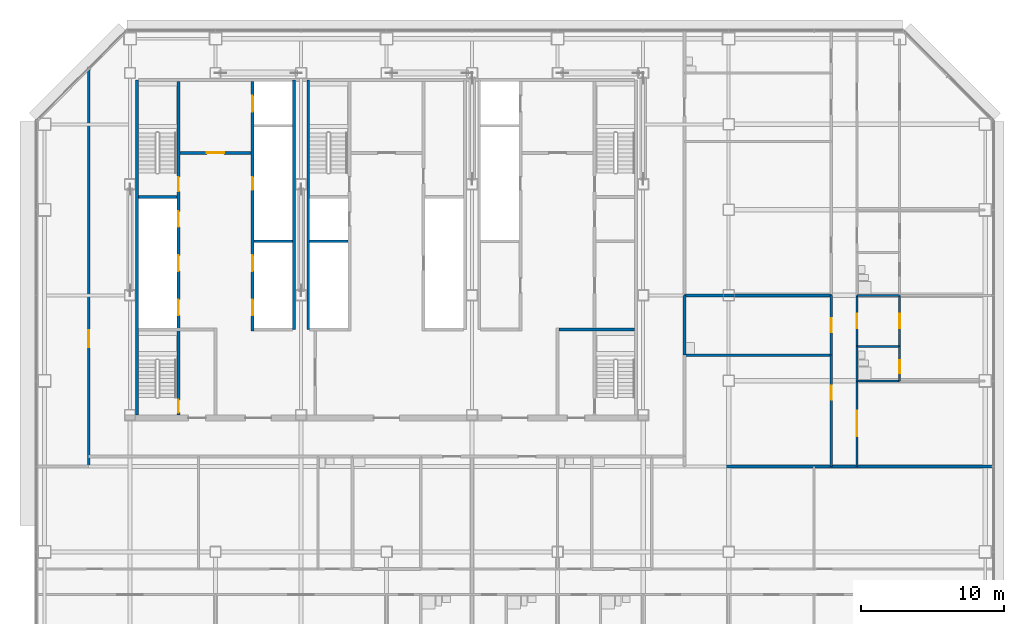
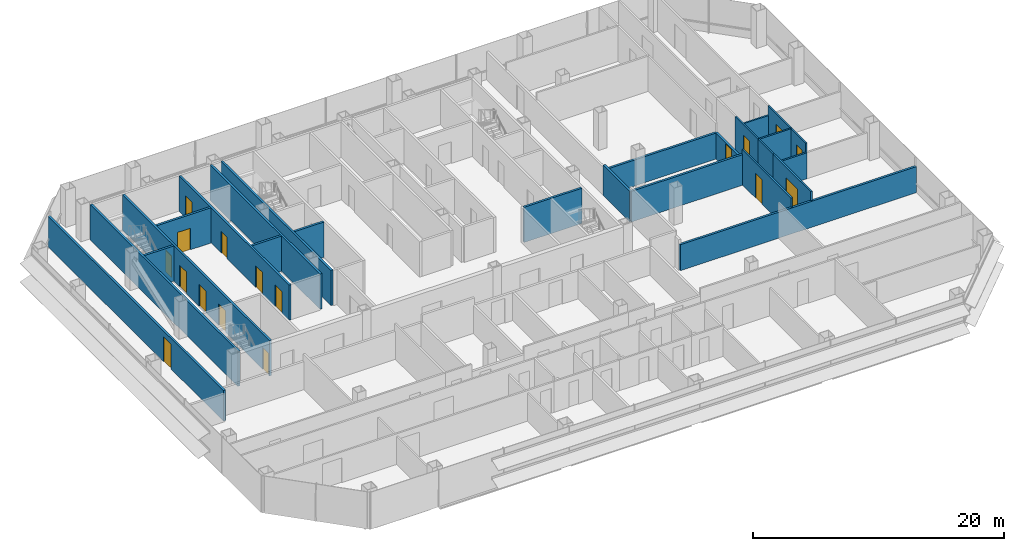
# One storey, part 22 of 26: 25 walls, 17 doors, 17 openings.
"""IFC4 building model written with IfcOpenShell, lengths in metres."""

from ifc_helpers import new_model, si_unit, direction, frame, frame_2d, origin, place, context, subcontext, project, spatial, rectangle, extrude, material, layer, layer_set, type_object, element, fill, save


model = new_model("IFC4")

# Units and contexts
model_context = context("Model", 3, precision=1e-05, world=origin(), true_north=direction((0.0, 1.0)))
body_context = subcontext(model_context, "Body", "Model", "MODEL_VIEW")
ifc_project = project(units=[si_unit("LENGTHUNIT", "METRE"), si_unit("AREAUNIT", "SQUARE_METRE"), si_unit("VOLUMEUNIT", "CUBIC_METRE"), si_unit("PLANEANGLEUNIT", "RADIAN"), si_unit("MASSUNIT", "GRAM", prefix="KILO")], contexts=[model_context])

# Site, building, storey
site_placement = place(None, origin())
site = spatial("IfcSite", under=ifc_project, at=site_placement, CompositionType="ELEMENT")
building_placement = place(site_placement, origin())
building = spatial("IfcBuilding", under=site, at=building_placement, Name="Sorahane Residences", CompositionType="ELEMENT")
storey_placement = place(building_placement, frame((0.0, 0.0, 64.199951171875)))
storey = spatial("IfcBuildingStorey", under=building, at=storey_placement, Name="L12", CompositionType="ELEMENT", Elevation=64.199951171875)

# Walls
ifc_material_1 = material(Name="Concrete C30", Category="concrete")
ifc_layer_1 = layer(ifc_material_1, 0.199951171875)
ifc_layer_set_1 = layer_set([ifc_layer_1], Name="Core face wall 200 EI 180")
wall_type_1 = type_object("IfcWallType", Name="Core face wall 200 EI 180", PredefinedType="SOLIDWALL", material=ifc_layer_set_1)
wall_1_placement = place(storey_placement, frame((6.5, 21.60009765625, 0.0), z_axis=(0.0, 0.0, 1.0), x_axis=(0.0, 1.0, 0.0)))
element("IfcWall", 1, at=wall_1_placement, inside=storey, type_object=wall_type_1, Name="L12 core face wall", PredefinedType="SOLIDWALL", context=body_context, shape_type="SweptSolid", body=[
    extrude(rectangle(XDim=23.5, YDim=0.199951171875, at=frame_2d((11.75, 0.0))), origin(), (0.0, 0.0, 1.0), 3.420166015625),
])
for number, where, z_axis, x_axis, name in (
    (2, (17.5, 27.60009765625, 0.0), (0.0, 0.0, 1.0), (0.0, 1.0, 0.0), "L12 core face wall"),
    (3, (18.5, 27.60009765625, 0.0), (0.0, 0.0, 1.0), (0.0, 1.0, 0.0), "L12 core face wall"),
):
    element("IfcWall", number, at=place(storey_placement, frame(where, z_axis=z_axis, x_axis=x_axis)), inside=storey, type_object=wall_type_1, Name=name, PredefinedType="SOLIDWALL", context=body_context, shape_type="SweptSolid", body=[
        extrude(rectangle(XDim=17.5, YDim=0.199951171875, at=frame_2d((8.75, 0.0))), origin(), (0.0, 0.0, 1.0), 3.420166015625),
    ])

# Wall, opening, door
ifc_material_2 = material(Name="Concrete blockwork C20 wall", Category="masonry")
ifc_layer_2 = layer(ifc_material_2, 0.199951171875)
ifc_layer_set_2 = layer_set([ifc_layer_2], Name="Corridor wall 200 EI 120")
wall_type_2 = type_object("IfcWallType", Name="Corridor wall 200 EI 120", PredefinedType="SOLIDWALL", material=ifc_layer_set_2)
wall_2_placement = place(storey_placement, frame((3.10009765625, 18.0, 0.0), z_axis=(0.0, 0.0, 1.0), x_axis=(0.0, 1.0, 0.0)))
wall_2 = element("IfcWall", 4, at=wall_2_placement, inside=storey, type_object=wall_type_2, Name="L12 corridor wall", PredefinedType="SOLIDWALL", context=body_context, shape_type="SweptSolid", body=[
    extrude(rectangle(XDim=27.948974609375, YDim=0.199951171875, at=frame_2d((13.974609375, 0.0))), origin(), (0.0, 0.0, 1.0), 2.969970703125),
])
opening_1_placement = place(wall_2_placement, frame((8.360107421875, 0.0, 0.0)))
opening_1 = element("IfcOpeningElement", 5, at=opening_1_placement, cuts=wall_2, Name="Opening L12-45", PredefinedType="OPENING", context=body_context, shape_type="SweptSolid", body=[
    extrude(rectangle(XDim=1.199951171875, YDim=2.39990234375, at=frame_2d((0.60009765625, 1.199951171875))), frame((0.0, 0.10986328125, 0.0), z_axis=(0.0, -1.0, 0.0), x_axis=(1.0, 0.0, 0.0)), (0.0, 0.0, 1.0), 0.219970703125),
])
ifc_material_3 = material(Name="Steel", Category="steel")
door_type_1 = type_object("IfcDoorType", Name="Lobby door 1200x2400 FD60", OperationType="NOTDEFINED", PredefinedType="DOOR", material=ifc_material_3)
door_1_placement = place(opening_1_placement, origin())
door_1 = element("IfcDoor", 6, at=door_1_placement, inside=storey, type_object=door_type_1, Name="Lobby door L12-45", OperationType="SINGLE_SWING_RIGHT", OverallHeight=2.39990234375, OverallWidth=1.199951171875, PredefinedType="DOOR", context=body_context, shape_type="SweptSolid", body=[
    extrude(rectangle(XDim=1.199951171875, YDim=2.39990234375, at=frame_2d((0.60009765625, 1.199951171875))), frame((0.0, 0.02490234375, 0.0), z_axis=(0.0, -1.0, 0.0), x_axis=(1.0, 0.0, 0.0)), (0.0, 0.0, 1.0), 0.050048828125),
])
fill(opening_1, door_1)

ifc_material_4 = material(Name="Concrete C30", Category="concrete")
ifc_layer_3 = layer(ifc_material_4, 0.199951171875)
ifc_layer_set_3 = layer_set([ifc_layer_3], Name="Front room wall 200 EI 120")
wall_type_3 = type_object("IfcWallType", Name="Front room wall 200 EI 120", PredefinedType="PARTITIONING", material=ifc_layer_set_3)
wall_3_placement = place(storey_placement, frame((9.5, 40.0, 0.0), z_axis=(0.0, 0.0, 1.0), x_axis=(1.0, 0.0, 0.0)))
wall_3 = element("IfcWall", 7, at=wall_3_placement, inside=storey, type_object=wall_type_3, Name="L12 front room wall", PredefinedType="PARTITIONING", context=body_context, shape_type="SweptSolid", body=[
    extrude(rectangle(XDim=5.0, YDim=0.199951171875, at=frame_2d((2.5, 0.0))), origin(), (0.0, 0.0, 1.0), 3.420166015625),
])
opening_2_placement = place(wall_3_placement, frame((1.89990234375, 0.0, 0.0)))
opening_2 = element("IfcOpeningElement", 8, at=opening_2_placement, cuts=wall_3, Name="Opening L12-C07", PredefinedType="OPENING", context=body_context, shape_type="SweptSolid", body=[
    extrude(rectangle(XDim=1.199951171875, YDim=2.10009765625, at=frame_2d((0.60009765625, 1.050048828125))), frame((0.0, 0.10986328125, 0.0), z_axis=(0.0, -1.0, 0.0), x_axis=(1.0, 0.0, 0.0)), (0.0, 0.0, 1.0), 0.219970703125),
])
ifc_material_5 = material(Name="Steel", Category="steel")
door_type_2 = type_object("IfcDoorType", Name="Front room door 1200x2100 FD120", OperationType="NOTDEFINED", PredefinedType="DOOR", material=ifc_material_5)
door_2_placement = place(opening_2_placement, frame((1.199951171875, 0.0, 0.0), z_axis=(0.0, 0.0, 1.0), x_axis=(-1.0, 0.0, 0.0)))
door_2 = element("IfcDoor", 9, at=door_2_placement, inside=storey, type_object=door_type_2, Name="Front room door Firefighting lobby FF1 front room L12", OperationType="DOUBLE_DOOR_SINGLE_SWING", OverallHeight=2.10009765625, OverallWidth=1.199951171875, PredefinedType="DOOR", context=body_context, shape_type="SweptSolid", body=[
    extrude(rectangle(XDim=1.199951171875, YDim=2.10009765625, at=frame_2d((0.60009765625, 1.050048828125))), frame((0.0, 0.02490234375, 0.0), z_axis=(0.0, -1.0, 0.0), x_axis=(1.0, 0.0, 0.0)), (0.0, 0.0, 1.0), 0.050048828125),
])
fill(opening_2, door_2)

# Wall
ifc_material_6 = material(Name="Concrete blockwork C20 wall", Category="masonry")
ifc_layer_4 = layer(ifc_material_6, 0.199951171875)
ifc_layer_set_4 = layer_set([ifc_layer_4], Name="Kitchen wall 200 EI 180")
wall_type_4 = type_object("IfcWallType", Name="Kitchen wall 200 EI 180", PredefinedType="SOLIDWALL", material=ifc_layer_set_4)
wall_4_placement = place(storey_placement, frame((44.89990234375, 25.800048828125, 0.0), z_axis=(0.0, 0.0, 1.0), x_axis=(0.0, 1.0, 0.0)))
element("IfcWall", 10, at=wall_4_placement, inside=storey, type_object=wall_type_4, Name="L12 kitchen wall", PredefinedType="SOLIDWALL", context=body_context, shape_type="SweptSolid", body=[
    extrude(rectangle(XDim=4.199951171875, YDim=0.199951171875, at=frame_2d((2.10009765625, 0.0))), origin(), (0.0, 0.0, 1.0), 2.969970703125),
])

# Wall, opening, door
wall_5_placement = place(storey_placement, frame((55.199951171875, 25.800048828125, 0.0), z_axis=(0.0, 0.0, 1.0), x_axis=(0.0, 1.0, 0.0)))
wall_5 = element("IfcWall", 11, at=wall_5_placement, inside=storey, type_object=wall_type_4, Name="L12 kitchen wall", PredefinedType="SOLIDWALL", context=body_context, shape_type="SweptSolid", body=[
    extrude(rectangle(XDim=4.199951171875, YDim=0.199951171875, at=frame_2d((2.10009765625, 0.0))), origin(), (0.0, 0.0, 1.0), 2.52001953125),
])
opening_3_placement = place(wall_5_placement, frame((1.60009765625, 0.0, 0.0)))
opening_3 = element("IfcOpeningElement", 12, at=opening_3_placement, cuts=wall_5, Name="Opening L12-30", PredefinedType="OPENING", context=body_context, shape_type="SweptSolid", body=[
    extrude(rectangle(XDim=1.0, YDim=2.39990234375, at=frame_2d((0.5, 1.199951171875))), frame((0.0, 0.10986328125, 0.0), z_axis=(0.0, -1.0, 0.0), x_axis=(1.0, 0.0, 0.0)), (0.0, 0.0, 1.0), 0.219970703125),
])
ifc_material_7 = material(Name="Steel", Category="steel")
door_type_3 = type_object("IfcDoorType", Name="Kitchen door 1000x2400 FD120", OperationType="NOTDEFINED", PredefinedType="DOOR", material=ifc_material_7)
door_3_placement = place(opening_3_placement, origin())
door_3 = element("IfcDoor", 13, at=door_3_placement, inside=storey, type_object=door_type_3, Name="Kitchen door L12-30", OperationType="SINGLE_SWING_LEFT", OverallHeight=2.39990234375, OverallWidth=1.0, PredefinedType="DOOR", context=body_context, shape_type="SweptSolid", body=[
    extrude(rectangle(XDim=1.0, YDim=2.39990234375, at=frame_2d((0.5, 1.199951171875))), frame((0.0, 0.02490234375, 0.0), z_axis=(0.0, -1.0, 0.0), x_axis=(1.0, 0.0, 0.0)), (0.0, 0.0, 1.0), 0.050048828125),
])
fill(opening_3, door_3)

# Walls
wall_6_placement = place(storey_placement, frame((44.89990234375, 25.800048828125, 0.0), z_axis=(0.0, 0.0, 1.0), x_axis=(1.0, 0.0, 0.0)))
element("IfcWall", 14, at=wall_6_placement, inside=storey, type_object=wall_type_4, Name="L12 kitchen wall", PredefinedType="SOLIDWALL", context=body_context, shape_type="SweptSolid", body=[
    extrude(rectangle(XDim=10.300048828125, YDim=0.199951171875, at=frame_2d((5.14990234375, 0.0))), origin(), (0.0, 0.0, 1.0), 2.969970703125),
])
wall_7_placement = place(storey_placement, frame((44.89990234375, 30.0, 0.0), z_axis=(0.0, 0.0, 1.0), x_axis=(1.0, 0.0, 0.0)))
element("IfcWall", 15, at=wall_7_placement, inside=storey, type_object=wall_type_4, Name="L12 kitchen wall", PredefinedType="SOLIDWALL", context=body_context, shape_type="SweptSolid", body=[
    extrude(rectangle(XDim=10.300048828125, YDim=0.199951171875, at=frame_2d((5.14990234375, 0.0))), origin(), (0.0, 0.0, 1.0), 2.52001953125),
])

# Wall, openings, doors
ifc_material_8 = material(Name="Concrete C30", Category="concrete")
ifc_layer_5 = layer(ifc_material_8, 0.199951171875)
ifc_layer_set_5 = layer_set([ifc_layer_5], Name="Lift shaft wall 200 EI 120")
wall_type_5 = type_object("IfcWallType", Name="Lift shaft wall 200 EI 120", PredefinedType="SOLIDWALL", material=ifc_layer_set_5)
wall_8_placement = place(storey_placement, frame((14.60009765625, 27.5, 0.0), z_axis=(0.0, 0.0, 1.0), x_axis=(0.0, 1.0, 0.0)))
wall_8 = element("IfcWall", 16, at=wall_8_placement, inside=storey, type_object=wall_type_5, Name="L12 lift shaft wall", PredefinedType="SOLIDWALL", context=body_context, shape_type="SweptSolid", body=[
    extrude(rectangle(XDim=17.5, YDim=0.199951171875, at=frame_2d((8.75, 0.0))), origin(), (0.0, 0.0, 1.0), 3.420166015625),
])
opening_4_placement = place(wall_8_placement, frame((1.10009765625, 0.0, 0.0)))
opening_4 = element("IfcOpeningElement", 17, at=opening_4_placement, cuts=wall_8, Name="Opening L12-C11", PredefinedType="OPENING", context=body_context, shape_type="SweptSolid", body=[
    extrude(rectangle(XDim=1.10009765625, YDim=2.10009765625, at=frame_2d((0.550048828125, 1.050048828125))), frame((0.0, 0.10986328125, 0.0), z_axis=(0.0, -1.0, 0.0), x_axis=(1.0, 0.0, 0.0)), (0.0, 0.0, 1.0), 0.219970703125),
])
opening_5_placement = place(wall_8_placement, frame((4.199951171875, 0.0, 0.0)))
opening_5 = element("IfcOpeningElement", 18, at=opening_5_placement, cuts=wall_8, Name="Opening L12-C12", PredefinedType="OPENING", context=body_context, shape_type="SweptSolid", body=[
    extrude(rectangle(XDim=1.10009765625, YDim=2.10009765625, at=frame_2d((0.550048828125, 1.050048828125))), frame((0.0, 0.10986328125, 0.0), z_axis=(0.0, -1.0, 0.0), x_axis=(1.0, 0.0, 0.0)), (0.0, 0.0, 1.0), 0.219970703125),
])
opening_6_placement = place(wall_8_placement, frame((15.39990234375, 0.0, 0.0)))
opening_6 = element("IfcOpeningElement", 19, at=opening_6_placement, cuts=wall_8, Name="Opening L12-C13", PredefinedType="OPENING", context=body_context, shape_type="SweptSolid", body=[
    extrude(rectangle(XDim=1.10009765625, YDim=2.10009765625, at=frame_2d((0.550048828125, 1.050048828125))), frame((0.0, 0.10986328125, 0.0), z_axis=(0.0, -1.0, 0.0), x_axis=(1.0, 0.0, 0.0)), (0.0, 0.0, 1.0), 0.219970703125),
])
opening_7_placement = place(wall_8_placement, frame((9.89990234375, 0.0, 0.0)))
opening_7 = element("IfcOpeningElement", 20, at=opening_7_placement, cuts=wall_8, Name="Opening L12-C25", PredefinedType="OPENING", context=body_context, shape_type="SweptSolid", body=[
    extrude(rectangle(XDim=0.89990234375, YDim=2.10009765625, at=frame_2d((0.449951171875, 1.050048828125))), frame((0.0, 0.10986328125, 0.0), z_axis=(0.0, -1.0, 0.0), x_axis=(1.0, 0.0, 0.0)), (0.0, 0.0, 1.0), 0.219970703125),
])
ifc_material_9 = material(Name="Aluminium and stainless steel", Category="steel")
door_type_4 = type_object("IfcDoorType", Name="Lift landing door 1100x2100 E 60", OperationType="NOTDEFINED", PredefinedType="DOOR", material=ifc_material_9)
door_4_placement = place(opening_4_placement, origin())
door_4 = element("IfcDoor", 21, at=door_4_placement, inside=storey, type_object=door_type_4, Name="Lift landing door LR4 L12", OperationType="DOUBLE_DOOR_SLIDING", OverallHeight=2.10009765625, OverallWidth=1.10009765625, PredefinedType="DOOR", context=body_context, shape_type="SweptSolid", body=[
    extrude(rectangle(XDim=1.10009765625, YDim=2.10009765625, at=frame_2d((0.550048828125, 1.050048828125))), frame((0.0, 0.02490234375, 0.0), z_axis=(0.0, -1.0, 0.0), x_axis=(1.0, 0.0, 0.0)), (0.0, 0.0, 1.0), 0.050048828125),
])
fill(opening_4, door_4)
door_5_placement = place(opening_5_placement, origin())
door_5 = element("IfcDoor", 22, at=door_5_placement, inside=storey, type_object=door_type_4, Name="Lift landing door LR5 L12", OperationType="DOUBLE_DOOR_SLIDING", OverallHeight=2.10009765625, OverallWidth=1.10009765625, PredefinedType="DOOR", context=body_context, shape_type="SweptSolid", body=[
    extrude(rectangle(XDim=1.10009765625, YDim=2.10009765625, at=frame_2d((0.550048828125, 1.050048828125))), frame((0.0, 0.02490234375, 0.0), z_axis=(0.0, -1.0, 0.0), x_axis=(1.0, 0.0, 0.0)), (0.0, 0.0, 1.0), 0.050048828125),
])
fill(opening_5, door_5)
door_6_placement = place(opening_6_placement, origin())
door_6 = element("IfcDoor", 23, at=door_6_placement, inside=storey, type_object=door_type_4, Name="Lift landing door FF1 L12", OperationType="DOUBLE_DOOR_SLIDING", OverallHeight=2.10009765625, OverallWidth=1.10009765625, PredefinedType="DOOR", context=body_context, shape_type="SweptSolid", body=[
    extrude(rectangle(XDim=1.10009765625, YDim=2.10009765625, at=frame_2d((0.550048828125, 1.050048828125))), frame((0.0, 0.02490234375, 0.0), z_axis=(0.0, -1.0, 0.0), x_axis=(1.0, 0.0, 0.0)), (0.0, 0.0, 1.0), 0.050048828125),
])
fill(opening_6, door_6)
ifc_material_10 = material(Name="Steel", Category="steel")
door_type_5 = type_object("IfcDoorType", Name="Riser door 900x2100 FD120", OperationType="NOTDEFINED", PredefinedType="DOOR", material=ifc_material_10)
door_7_placement = place(opening_7_placement, origin())
door_7 = element("IfcDoor", 24, at=door_7_placement, inside=storey, type_object=door_type_5, Name="Riser door R1 L12", OperationType="SINGLE_SWING_LEFT", OverallHeight=2.10009765625, OverallWidth=0.89990234375, PredefinedType="DOOR", context=body_context, shape_type="SweptSolid", body=[
    extrude(rectangle(XDim=0.89990234375, YDim=2.10009765625, at=frame_2d((0.449951171875, 1.050048828125))), frame((0.0, 0.02490234375, 0.0), z_axis=(0.0, -1.0, 0.0), x_axis=(1.0, 0.0, 0.0)), (0.0, 0.0, 1.0), 0.050048828125),
])
fill(opening_7, door_7)

# Walls
for number, where, z_axis, x_axis, name in (
    (25, (14.699951171875, 33.800048828125, 0.0), (0.0, 0.0, 1.0), (1.0, 0.0, 0.0), "L12 lift shaft wall"),
    (26, (18.60009765625, 33.800048828125, 0.0), (0.0, 0.0, 1.0), (1.0, 0.0, 0.0), "L12 lift shaft wall"),
):
    element("IfcWall", number, at=place(storey_placement, frame(where, z_axis=z_axis, x_axis=x_axis)), inside=storey, type_object=wall_type_5, Name=name, PredefinedType="SOLIDWALL", context=body_context, shape_type="SweptSolid", body=[
        extrude(rectangle(XDim=2.699951171875, YDim=0.199951171875, at=frame_2d((1.35009765625, 0.0))), origin(), (0.0, 0.0, 1.0), 3.420166015625),
    ])

# Wall, opening, door
ifc_material_11 = material(Name="Gypsum board partition on steel studs", Category="steel")
ifc_layer_6 = layer(ifc_material_11, 0.14990234375)
ifc_layer_set_6 = layer_set([ifc_layer_6], Name="Partition 150 EI 90")
wall_type_6 = type_object("IfcWallType", Name="Partition 150 EI 90", PredefinedType="PARTITIONING", material=ifc_layer_set_6)
wall_9_placement = place(storey_placement, frame((55.199951171875, 18.0, 0.0), z_axis=(0.0, 0.0, 1.0), x_axis=(0.0, 1.0, 0.0)))
wall_9 = element("IfcWall", 27, at=wall_9_placement, inside=storey, type_object=wall_type_6, Name="L12 partition", PredefinedType="PARTITIONING", context=body_context, shape_type="SweptSolid", body=[
    extrude(rectangle(XDim=7.800048828125, YDim=0.14990234375, at=frame_2d((3.89990234375, 0.0))), origin(), (0.0, 0.0, 1.0), 3.420166015625),
])
opening_8_placement = place(wall_9_placement, frame((4.659912109375, 0.0, 0.0)))
opening_8 = element("IfcOpeningElement", 28, at=opening_8_placement, cuts=wall_9, Name="Opening L12-29", PredefinedType="OPENING", context=body_context, shape_type="SweptSolid", body=[
    extrude(rectangle(XDim=1.0, YDim=2.39990234375, at=frame_2d((0.5, 1.199951171875))), frame((0.0, 0.0849609375, 0.0), z_axis=(0.0, -1.0, 0.0), x_axis=(1.0, 0.0, 0.0)), (0.0, 0.0, 1.0), 0.169921875),
])
ifc_material_12 = material(Name="Timber veneered fire door", Category="wood")
door_type_6 = type_object("IfcDoorType", Name="Room door 1000x2400 FD30", OperationType="NOTDEFINED", PredefinedType="DOOR", material=ifc_material_12)
door_8_placement = place(opening_8_placement, origin())
door_8 = element("IfcDoor", 29, at=door_8_placement, inside=storey, type_object=door_type_6, Name="Room door L12-29", OperationType="SINGLE_SWING_LEFT", OverallHeight=2.39990234375, OverallWidth=1.0, PredefinedType="DOOR", context=body_context, shape_type="SweptSolid", body=[
    extrude(rectangle(XDim=1.0, YDim=2.39990234375, at=frame_2d((0.5, 1.199951171875))), frame((0.0, 0.02490234375, 0.0), z_axis=(0.0, -1.0, 0.0), x_axis=(1.0, 0.0, 0.0)), (0.0, 0.0, 1.0), 0.050048828125),
])
fill(opening_8, door_8)

wall_10_placement = place(storey_placement, frame((57.0, 18.0, 0.0), z_axis=(0.0, 0.0, 1.0), x_axis=(0.0, 1.0, 0.0)))
wall_10 = element("IfcWall", 30, at=wall_10_placement, inside=storey, type_object=wall_type_6, Name="L12 partition", PredefinedType="PARTITIONING", context=body_context, shape_type="SweptSolid", body=[
    extrude(rectangle(XDim=6.0, YDim=0.14990234375, at=frame_2d((3.0, 0.0))), origin(), (0.0, 0.0, 1.0), 3.420166015625),
])
opening_9_placement = place(wall_10_placement, frame((2.10009765625, 0.0, 0.0)))
opening_9 = element("IfcOpeningElement", 31, at=opening_9_placement, cuts=wall_10, Name="Opening L12-33", PredefinedType="OPENING", context=body_context, shape_type="SweptSolid", body=[
    extrude(rectangle(XDim=1.800048828125, YDim=2.39990234375, at=frame_2d((0.89990234375, 1.199951171875))), frame((0.0, 0.0849609375, 0.0), z_axis=(0.0, -1.0, 0.0), x_axis=(1.0, 0.0, 0.0)), (0.0, 0.0, 1.0), 0.169921875),
])
ifc_material_13 = material(Name="Timber veneered fire door", Category="wood")
door_type_7 = type_object("IfcDoorType", Name="Double door 1800x2400 FD30", OperationType="NOTDEFINED", PredefinedType="DOOR", material=ifc_material_13)
door_9_placement = place(opening_9_placement, frame((1.800048828125, 0.0, 0.0), z_axis=(0.0, 0.0, 1.0), x_axis=(-1.0, 0.0, 0.0)))
door_9 = element("IfcDoor", 32, at=door_9_placement, inside=storey, type_object=door_type_7, Name="Double door L12-33", OperationType="SINGLE_SWING_LEFT", OverallHeight=2.39990234375, OverallWidth=1.800048828125, PredefinedType="DOOR", context=body_context, shape_type="SweptSolid", body=[
    extrude(rectangle(XDim=1.800048828125, YDim=2.39990234375, at=frame_2d((0.89990234375, 1.199951171875))), frame((0.0, 0.02490234375, 0.0), z_axis=(0.0, -1.0, 0.0), x_axis=(1.0, 0.0, 0.0)), (0.0, 0.0, 1.0), 0.050048828125),
])
fill(opening_9, door_9)

wall_11_placement = place(storey_placement, frame((57.0, 26.39990234375, 0.0), z_axis=(0.0, 0.0, 1.0), x_axis=(0.0, 1.0, 0.0)))
wall_11 = element("IfcWall", 33, at=wall_11_placement, inside=storey, type_object=wall_type_6, Name="L12 partition", PredefinedType="PARTITIONING", context=body_context, shape_type="SweptSolid", body=[
    extrude(rectangle(XDim=3.60009765625, YDim=0.14990234375, at=frame_2d((1.800048828125, 0.0))), origin(), (0.0, 0.0, 1.0), 3.420166015625),
])
opening_10_placement = place(wall_11_placement, frame((1.300048828125, 0.0, 0.0)))
opening_10 = element("IfcOpeningElement", 34, at=opening_10_placement, cuts=wall_11, Name="Opening L12-34", PredefinedType="OPENING", context=body_context, shape_type="SweptSolid", body=[
    extrude(rectangle(XDim=1.0, YDim=2.39990234375, at=frame_2d((0.5, 1.199951171875))), frame((0.0, 0.0849609375, 0.0), z_axis=(0.0, -1.0, 0.0), x_axis=(1.0, 0.0, 0.0)), (0.0, 0.0, 1.0), 0.169921875),
])
door_10_placement = place(opening_10_placement, frame((1.0, 0.0, 0.0), z_axis=(0.0, 0.0, 1.0), x_axis=(-1.0, 0.0, 0.0)))
door_10 = element("IfcDoor", 35, at=door_10_placement, inside=storey, type_object=door_type_6, Name="Room door L12-34", OperationType="SINGLE_SWING_LEFT", OverallHeight=2.39990234375, OverallWidth=1.0, PredefinedType="DOOR", context=body_context, shape_type="SweptSolid", body=[
    extrude(rectangle(XDim=1.0, YDim=2.39990234375, at=frame_2d((0.5, 1.199951171875))), frame((0.0, 0.02490234375, 0.0), z_axis=(0.0, -1.0, 0.0), x_axis=(1.0, 0.0, 0.0)), (0.0, 0.0, 1.0), 0.050048828125),
])
fill(opening_10, door_10)

wall_12_placement = place(storey_placement, frame((60.0, 26.39990234375, 0.0), z_axis=(0.0, 0.0, 1.0), x_axis=(0.0, 1.0, 0.0)))
wall_12 = element("IfcWall", 36, at=wall_12_placement, inside=storey, type_object=wall_type_6, Name="L12 partition", PredefinedType="PARTITIONING", context=body_context, shape_type="SweptSolid", body=[
    extrude(rectangle(XDim=3.60009765625, YDim=0.14990234375, at=frame_2d((1.800048828125, 0.0))), origin(), (0.0, 0.0, 1.0), 3.420166015625),
])
opening_11_placement = place(wall_12_placement, frame((1.300048828125, 0.0, 0.0)))
opening_11 = element("IfcOpeningElement", 37, at=opening_11_placement, cuts=wall_12, Name="Opening L12-37", PredefinedType="OPENING", context=body_context, shape_type="SweptSolid", body=[
    extrude(rectangle(XDim=1.0, YDim=2.39990234375, at=frame_2d((0.5, 1.199951171875))), frame((0.0, 0.0849609375, 0.0), z_axis=(0.0, -1.0, 0.0), x_axis=(1.0, 0.0, 0.0)), (0.0, 0.0, 1.0), 0.169921875),
])
door_11_placement = place(opening_11_placement, frame((1.0, 0.0, 0.0), z_axis=(0.0, 0.0, 1.0), x_axis=(-1.0, 0.0, 0.0)))
door_11 = element("IfcDoor", 38, at=door_11_placement, inside=storey, type_object=door_type_6, Name="Room door L12-37", OperationType="SINGLE_SWING_LEFT", OverallHeight=2.39990234375, OverallWidth=1.0, PredefinedType="DOOR", context=body_context, shape_type="SweptSolid", body=[
    extrude(rectangle(XDim=1.0, YDim=2.39990234375, at=frame_2d((0.5, 1.199951171875))), frame((0.0, 0.02490234375, 0.0), z_axis=(0.0, -1.0, 0.0), x_axis=(1.0, 0.0, 0.0)), (0.0, 0.0, 1.0), 0.050048828125),
])
fill(opening_11, door_11)

# Wall
ifc_material_14 = material(Name="Concrete blockwork C20 wall", Category="masonry")
ifc_layer_7 = layer(ifc_material_14, 0.199951171875)
ifc_layer_set_7 = layer_set([ifc_layer_7], Name="Party wall 200 EI 120")
wall_type_7 = type_object("IfcWallType", Name="Party wall 200 EI 120", PredefinedType="SOLIDWALL", material=ifc_layer_set_7)
wall_13_placement = place(storey_placement, frame((44.89990234375, 18.0, 0.0), z_axis=(0.0, 0.0, 1.0), x_axis=(1.0, 0.0, 0.0)))
element("IfcWall", 39, at=wall_13_placement, inside=storey, type_object=wall_type_7, Name="L12 party wall", PredefinedType="SOLIDWALL", context=body_context, shape_type="SweptSolid", body=[
    extrude(rectangle(XDim=21.7001953125, YDim=0.199951171875, at=frame_2d((10.85009765625, 0.0))), origin(), (0.0, 0.0, 1.0), 2.52001953125),
])

# Wall, openings, doors
ifc_material_15 = material(Name="Concrete C30", Category="concrete")
ifc_layer_8 = layer(ifc_material_15, 0.199951171875)
ifc_layer_set_8 = layer_set([ifc_layer_8], Name="Stair enclosure wall 200 EI 120")
wall_type_8 = type_object("IfcWallType", Name="Stair enclosure wall 200 EI 120", PredefinedType="SOLIDWALL", material=ifc_layer_set_8)
wall_14_placement = place(storey_placement, frame((9.39990234375, 21.60009765625, 0.0), z_axis=(0.0, 0.0, 1.0), x_axis=(0.0, 1.0, 0.0)))
wall_14 = element("IfcWall", 40, at=wall_14_placement, inside=storey, type_object=wall_type_8, Name="L12 stair enclosure wall", PredefinedType="SOLIDWALL", context=body_context, shape_type="SweptSolid", body=[
    extrude(rectangle(XDim=23.39990234375, YDim=0.199951171875, at=frame_2d((11.699951171875, 0.0))), origin(), (0.0, 0.0, 1.0), 3.420166015625),
])
opening_12_placement = place(wall_14_placement, frame((7.0, 0.0, 0.0)))
opening_12 = element("IfcOpeningElement", 41, at=opening_12_placement, cuts=wall_14, Name="Opening L12-C14", PredefinedType="OPENING", context=body_context, shape_type="SweptSolid", body=[
    extrude(rectangle(XDim=1.10009765625, YDim=2.10009765625, at=frame_2d((0.550048828125, 1.050048828125))), frame((0.0, 0.10986328125, 0.0), z_axis=(0.0, -1.0, 0.0), x_axis=(1.0, 0.0, 0.0)), (0.0, 0.0, 1.0), 0.219970703125),
])
opening_13_placement = place(wall_14_placement, frame((10.10009765625, 0.0, 0.0)))
opening_13 = element("IfcOpeningElement", 42, at=opening_13_placement, cuts=wall_14, Name="Opening L12-C15", PredefinedType="OPENING", context=body_context, shape_type="SweptSolid", body=[
    extrude(rectangle(XDim=1.10009765625, YDim=2.10009765625, at=frame_2d((0.550048828125, 1.050048828125))), frame((0.0, 0.10986328125, 0.0), z_axis=(0.0, -1.0, 0.0), x_axis=(1.0, 0.0, 0.0)), (0.0, 0.0, 1.0), 0.219970703125),
])
opening_14_placement = place(wall_14_placement, frame((13.199951171875, 0.0, 0.0)))
opening_14 = element("IfcOpeningElement", 43, at=opening_14_placement, cuts=wall_14, Name="Opening L12-C16", PredefinedType="OPENING", context=body_context, shape_type="SweptSolid", body=[
    extrude(rectangle(XDim=1.10009765625, YDim=2.10009765625, at=frame_2d((0.550048828125, 1.050048828125))), frame((0.0, 0.10986328125, 0.0), z_axis=(0.0, -1.0, 0.0), x_axis=(1.0, 0.0, 0.0)), (0.0, 0.0, 1.0), 0.219970703125),
])
opening_15_placement = place(wall_14_placement, frame((15.699951171875, 0.0, 0.0)))
opening_15 = element("IfcOpeningElement", 44, at=opening_15_placement, cuts=wall_14, Name="Opening L12-C20", PredefinedType="OPENING", context=body_context, shape_type="SweptSolid", body=[
    extrude(rectangle(XDim=1.0, YDim=2.10009765625, at=frame_2d((0.5, 1.050048828125))), frame((0.0, 0.10986328125, 0.0), z_axis=(0.0, -1.0, 0.0), x_axis=(1.0, 0.0, 0.0)), (0.0, 0.0, 1.0), 0.219970703125),
])
opening_16_placement = place(wall_14_placement, frame((0.175048828125, 0.0, 0.0)))
opening_16 = element("IfcOpeningElement", 45, at=opening_16_placement, cuts=wall_14, Name="Opening L12-C23", PredefinedType="OPENING", context=body_context, shape_type="SweptSolid", body=[
    extrude(rectangle(XDim=0.89990234375, YDim=2.10009765625, at=frame_2d((0.449951171875, 1.050048828125))), frame((0.0, 0.10986328125, 0.0), z_axis=(0.0, -1.0, 0.0), x_axis=(1.0, 0.0, 0.0)), (0.0, 0.0, 1.0), 0.219970703125),
])
door_12_placement = place(opening_12_placement, origin())
door_12 = element("IfcDoor", 46, at=door_12_placement, inside=storey, type_object=door_type_4, Name="Lift landing door LR1 L12", OperationType="DOUBLE_DOOR_SLIDING", OverallHeight=2.10009765625, OverallWidth=1.10009765625, PredefinedType="DOOR", context=body_context, shape_type="SweptSolid", body=[
    extrude(rectangle(XDim=1.10009765625, YDim=2.10009765625, at=frame_2d((0.550048828125, 1.050048828125))), frame((0.0, 0.02490234375, 0.0), z_axis=(0.0, -1.0, 0.0), x_axis=(1.0, 0.0, 0.0)), (0.0, 0.0, 1.0), 0.050048828125),
])
fill(opening_12, door_12)
door_13_placement = place(opening_13_placement, origin())
door_13 = element("IfcDoor", 47, at=door_13_placement, inside=storey, type_object=door_type_4, Name="Lift landing door LR2 L12", OperationType="DOUBLE_DOOR_SLIDING", OverallHeight=2.10009765625, OverallWidth=1.10009765625, PredefinedType="DOOR", context=body_context, shape_type="SweptSolid", body=[
    extrude(rectangle(XDim=1.10009765625, YDim=2.10009765625, at=frame_2d((0.550048828125, 1.050048828125))), frame((0.0, 0.02490234375, 0.0), z_axis=(0.0, -1.0, 0.0), x_axis=(1.0, 0.0, 0.0)), (0.0, 0.0, 1.0), 0.050048828125),
])
fill(opening_13, door_13)
door_14_placement = place(opening_14_placement, origin())
door_14 = element("IfcDoor", 48, at=door_14_placement, inside=storey, type_object=door_type_4, Name="Lift landing door LR3 L12", OperationType="DOUBLE_DOOR_SLIDING", OverallHeight=2.10009765625, OverallWidth=1.10009765625, PredefinedType="DOOR", context=body_context, shape_type="SweptSolid", body=[
    extrude(rectangle(XDim=1.10009765625, YDim=2.10009765625, at=frame_2d((0.550048828125, 1.050048828125))), frame((0.0, 0.02490234375, 0.0), z_axis=(0.0, -1.0, 0.0), x_axis=(1.0, 0.0, 0.0)), (0.0, 0.0, 1.0), 0.050048828125),
])
fill(opening_14, door_14)
ifc_material_16 = material(Name="Steel", Category="steel")
door_type_8 = type_object("IfcDoorType", Name="Stair door 1000x2100 FD120", OperationType="NOTDEFINED", PredefinedType="DOOR", material=ifc_material_16)
door_15_placement = place(opening_15_placement, origin())
door_15 = element("IfcDoor", 49, at=door_15_placement, inside=storey, type_object=door_type_8, Name="Stair door S1 L12", OperationType="SINGLE_SWING_LEFT", OverallHeight=2.10009765625, OverallWidth=1.0, PredefinedType="DOOR", context=body_context, shape_type="SweptSolid", body=[
    extrude(rectangle(XDim=1.0, YDim=2.10009765625, at=frame_2d((0.5, 1.050048828125))), frame((0.0, 0.02490234375, 0.0), z_axis=(0.0, -1.0, 0.0), x_axis=(1.0, 0.0, 0.0)), (0.0, 0.0, 1.0), 0.050048828125),
])
fill(opening_15, door_15)
ifc_material_17 = material(Name="Steel", Category="steel")
door_type_9 = type_object("IfcDoorType", Name="Stair door 900x2100 FD120", OperationType="NOTDEFINED", PredefinedType="DOOR", material=ifc_material_17)
door_16_placement = place(opening_16_placement, origin())
door_16 = element("IfcDoor", 50, at=door_16_placement, inside=storey, type_object=door_type_9, Name="Stair door S4 L12", OperationType="SINGLE_SWING_LEFT", OverallHeight=2.10009765625, OverallWidth=0.89990234375, PredefinedType="DOOR", context=body_context, shape_type="SweptSolid", body=[
    extrude(rectangle(XDim=0.89990234375, YDim=2.10009765625, at=frame_2d((0.449951171875, 1.050048828125))), frame((0.0, 0.02490234375, 0.0), z_axis=(0.0, -1.0, 0.0), x_axis=(1.0, 0.0, 0.0)), (0.0, 0.0, 1.0), 0.050048828125),
])
fill(opening_16, door_16)

# Walls
wall_15_placement = place(storey_placement, frame((36.10009765625, 27.60009765625, 0.0), z_axis=(0.0, 0.0, 1.0), x_axis=(1.0, 0.0, 0.0)))
element("IfcWall", 51, at=wall_15_placement, inside=storey, type_object=wall_type_8, Name="L12 stair enclosure wall", PredefinedType="SOLIDWALL", context=body_context, shape_type="SweptSolid", body=[
    extrude(rectangle(XDim=5.2998046875, YDim=0.199951171875, at=frame_2d((2.64990234375, 0.0))), origin(), (0.0, 0.0, 1.0), 3.420166015625),
])
wall_16_placement = place(storey_placement, frame((6.60009765625, 36.89990234375, 0.0), z_axis=(0.0, 0.0, 1.0), x_axis=(1.0, 0.0, 0.0)))
element("IfcWall", 52, at=wall_16_placement, inside=storey, type_object=wall_type_8, Name="L12 stair enclosure wall", PredefinedType="SOLIDWALL", context=body_context, shape_type="SweptSolid", body=[
    extrude(rectangle(XDim=2.699951171875, YDim=0.199951171875, at=frame_2d((1.35009765625, 0.0))), origin(), (0.0, 0.0, 1.0), 3.420166015625),
])
ifc_material_18 = material(Name="Gypsum board partition on steel studs", Category="steel")
ifc_layer_9 = layer(ifc_material_18, 0.14990234375)
ifc_layer_set_9 = layer_set([ifc_layer_9], Name="Wet wall 150 EI 90")
wall_type_9 = type_object("IfcWallType", Name="Wet wall 150 EI 90", PredefinedType="PARTITIONING", material=ifc_layer_set_9)
wall_17_placement = place(storey_placement, frame((57.0, 24.0, 0.0), z_axis=(0.0, 0.0, 1.0), x_axis=(0.0, 1.0, 0.0)))
element("IfcWall", 53, at=wall_17_placement, inside=storey, type_object=wall_type_9, Name="L12 wet wall", PredefinedType="PARTITIONING", context=body_context, shape_type="SweptSolid", body=[
    extrude(rectangle(XDim=2.39990234375, YDim=0.14990234375, at=frame_2d((1.199951171875, 0.0))), origin(), (0.0, 0.0, 1.0), 3.420166015625),
])

# Wall, opening, door
wall_18_placement = place(storey_placement, frame((60.0, 24.0, 0.0), z_axis=(0.0, 0.0, 1.0), x_axis=(0.0, 1.0, 0.0)))
wall_18 = element("IfcWall", 54, at=wall_18_placement, inside=storey, type_object=wall_type_9, Name="L12 wet wall", PredefinedType="PARTITIONING", context=body_context, shape_type="SweptSolid", body=[
    extrude(rectangle(XDim=2.39990234375, YDim=0.14990234375, at=frame_2d((1.199951171875, 0.0))), origin(), (0.0, 0.0, 1.0), 3.420166015625),
])
opening_17_placement = place(wall_18_placement, frame((0.550048828125, 0.0, 0.0)))
opening_17 = element("IfcOpeningElement", 55, at=opening_17_placement, cuts=wall_18, Name="Opening L12-38", PredefinedType="OPENING", context=body_context, shape_type="SweptSolid", body=[
    extrude(rectangle(XDim=0.89990234375, YDim=2.39990234375, at=frame_2d((0.449951171875, 1.199951171875))), frame((0.0, 0.0849609375, 0.0), z_axis=(0.0, -1.0, 0.0), x_axis=(1.0, 0.0, 0.0)), (0.0, 0.0, 1.0), 0.169921875),
])
ifc_material_19 = material(Name="Timber veneered fire door", Category="wood")
door_type_10 = type_object("IfcDoorType", Name="Bathroom door 900x2400 FD30", OperationType="NOTDEFINED", PredefinedType="DOOR", material=ifc_material_19)
door_17_placement = place(opening_17_placement, frame((0.89990234375, 0.0, 0.0), z_axis=(0.0, 0.0, 1.0), x_axis=(-1.0, 0.0, 0.0)))
door_17 = element("IfcDoor", 56, at=door_17_placement, inside=storey, type_object=door_type_10, Name="Bathroom door L12-38", OperationType="SINGLE_SWING_LEFT", OverallHeight=2.39990234375, OverallWidth=0.89990234375, PredefinedType="DOOR", context=body_context, shape_type="SweptSolid", body=[
    extrude(rectangle(XDim=0.89990234375, YDim=2.39990234375, at=frame_2d((0.449951171875, 1.199951171875))), frame((0.0, 0.02490234375, 0.0), z_axis=(0.0, -1.0, 0.0), x_axis=(1.0, 0.0, 0.0)), (0.0, 0.0, 1.0), 0.050048828125),
])
fill(opening_17, door_17)

# Walls
wall_19_placement = place(storey_placement, frame((57.0, 24.0, 0.0), z_axis=(0.0, 0.0, 1.0), x_axis=(1.0, 0.0, 0.0)))
element("IfcWall", 57, at=wall_19_placement, inside=storey, type_object=wall_type_9, Name="L12 wet wall", PredefinedType="PARTITIONING", context=body_context, shape_type="SweptSolid", body=[
    extrude(rectangle(XDim=3.0, YDim=0.14990234375, at=frame_2d((1.5, 0.0))), origin(), (0.0, 0.0, 1.0), 2.52001953125),
])
wall_20_placement = place(storey_placement, frame((57.0, 26.39990234375, 0.0), z_axis=(0.0, 0.0, 1.0), x_axis=(1.0, 0.0, 0.0)))
element("IfcWall", 58, at=wall_20_placement, inside=storey, type_object=wall_type_9, Name="L12 wet wall", PredefinedType="PARTITIONING", context=body_context, shape_type="SweptSolid", body=[
    extrude(rectangle(XDim=3.0, YDim=0.14990234375, at=frame_2d((1.5, 0.0))), origin(), (0.0, 0.0, 1.0), 3.420166015625),
])
wall_21_placement = place(storey_placement, frame((57.0, 30.0, 0.0), z_axis=(0.0, 0.0, 1.0), x_axis=(1.0, 0.0, 0.0)))
element("IfcWall", 59, at=wall_21_placement, inside=storey, type_object=wall_type_9, Name="L12 wet wall", PredefinedType="PARTITIONING", context=body_context, shape_type="SweptSolid", body=[
    extrude(rectangle(XDim=3.0, YDim=0.14990234375, at=frame_2d((1.5, 0.0))), origin(), (0.0, 0.0, 1.0), 2.52001953125),
])

save(model, "model.ifc")
